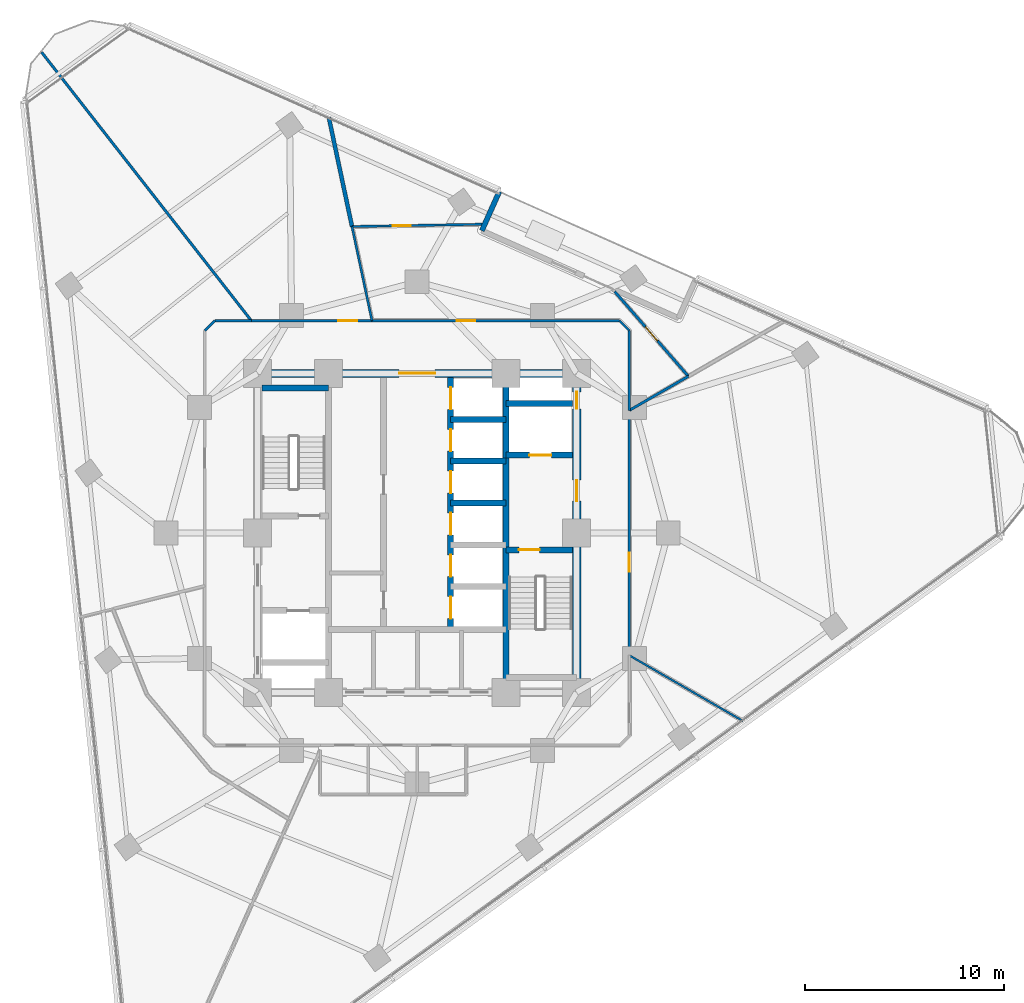
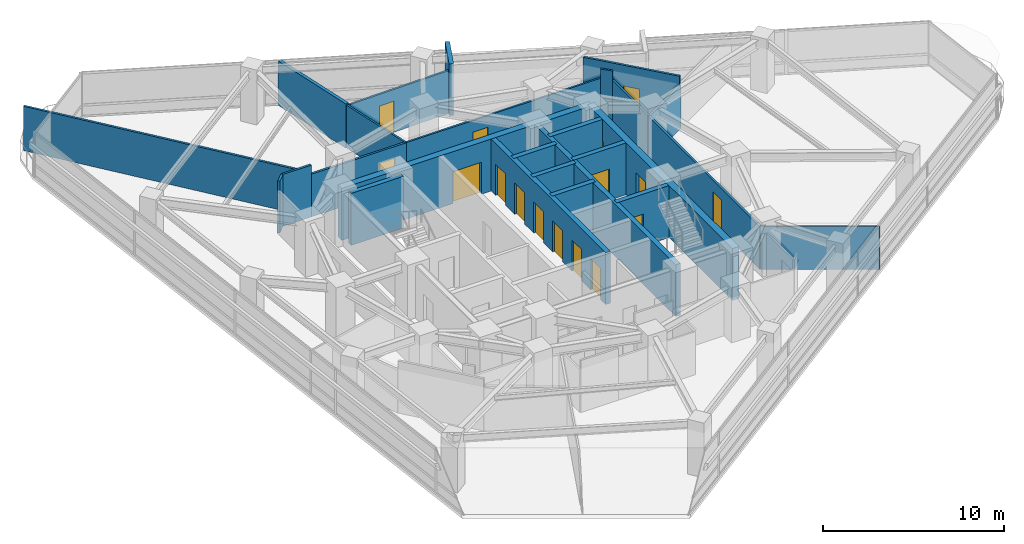
# One storey, part 9 of 14: 26 walls, 16 doors, 16 openings.
"""IFC4 building model written with IfcOpenShell, lengths in metres."""

from ifc_helpers import new_model, si_unit, direction, frame, frame_2d, origin, place, context, subcontext, project, spatial, rectangle, extrude, material, layer, layer_set, type_object, element, fill, save


model = new_model("IFC4")

# Units and contexts
model_context = context("Model", 3, precision=1e-05, world=origin(), true_north=direction((0.0, 1.0)))
body_context = subcontext(model_context, "Body", "Model", "MODEL_VIEW")
ifc_project = project(units=[si_unit("LENGTHUNIT", "METRE"), si_unit("AREAUNIT", "SQUARE_METRE"), si_unit("VOLUMEUNIT", "CUBIC_METRE"), si_unit("PLANEANGLEUNIT", "RADIAN"), si_unit("MASSUNIT", "GRAM", prefix="KILO")], contexts=[model_context])

# Site, building, storey
site_placement = place(None, origin())
site = spatial("IfcSite", under=ifc_project, at=site_placement, CompositionType="ELEMENT")
building_placement = place(site_placement, origin())
building = spatial("IfcBuilding", under=site, at=building_placement, Name="Terralouvre Media Tower", CompositionType="ELEMENT")
storey_placement = place(building_placement, frame((0.0, 0.0, 176.800048828125)))
storey = spatial("IfcBuildingStorey", under=building, at=storey_placement, Name="L45", CompositionType="ELEMENT", Elevation=176.800048828125)

# Walls
ifc_material_1 = material(Name="Concrete C50/60", Category="concrete")
ifc_layer_1 = layer(ifc_material_1, 0.300048828125, Name="Core Internal Shaft Wall CW-300")
ifc_layer_set_1 = layer_set([ifc_layer_1], Name="Concrete C50/60")
wall_type_1 = type_object("IfcWallType", Name="Core Internal Shaft Wall CW-300", PredefinedType="SHEAR", material=ifc_layer_set_1)
wall_1_placement = place(storey_placement, frame((4.449951171875, -7.7900390625, 0.0), z_axis=(0.0, 0.0, 1.0), x_axis=(0.0, 1.0, 0.0)))
element("IfcWall", 1, at=wall_1_placement, inside=storey, type_object=wall_type_1, Name="L45 Core Shaft Wall SPE", PredefinedType="SHEAR", context=body_context, shape_type="SweptSolid", body=[
    extrude(rectangle(XDim=15.580078125, YDim=0.300048828125, at=frame_2d((7.7900390625, 0.0))), origin(), (0.0, 0.0, 1.0), 3.5),
])
wall_2_placement = place(storey_placement, frame((-7.7900390625, 7.260009765625, 0.0), z_axis=(0.0, 0.0, 1.0), x_axis=(1.0, 0.0, 0.0)))
element("IfcWall", 2, at=wall_2_placement, inside=storey, type_object=wall_type_1, Name="L45 Core Shaft Wall ST1F", PredefinedType="SHEAR", context=body_context, shape_type="SweptSolid", body=[
    extrude(rectangle(XDim=3.340087890625, YDim=0.300048828125, at=frame_2d((1.669921875, 0.0))), origin(), (0.0, 0.0, 1.0), 3.5),
])

# Wall, opening, door
wall_3_placement = place(storey_placement, frame((4.449951171875, -0.85009765625, 0.0), z_axis=(0.0, 0.0, 1.0), x_axis=(1.0, 0.0, 0.0)))
wall_3 = element("IfcWall", 3, at=wall_3_placement, inside=storey, type_object=wall_type_1, Name="L45 Core Shaft Wall ST2D", PredefinedType="SHEAR", context=body_context, shape_type="SweptSolid", body=[
    extrude(rectangle(XDim=3.340087890625, YDim=0.300048828125, at=frame_2d((1.669921875, 0.0))), origin(), (0.0, 0.0, 1.0), 3.5),
])
opening_1_placement = place(wall_3_placement, frame((0.64990234375, 0.0, 0.0)))
opening_1 = element("IfcOpeningElement", 4, at=opening_1_placement, cuts=wall_3, Name="Opening FD-01-105X215", PredefinedType="OPENING", context=body_context, shape_type="SweptSolid", body=[
    extrude(rectangle(XDim=1.050048828125, YDim=2.14990234375, at=frame_2d((0.52490234375, 1.074951171875))), frame((0.0, 0.159912109375, 0.0), z_axis=(0.0, -1.0, 0.0), x_axis=(1.0, 0.0, 0.0)), (0.0, 0.0, 1.0), 0.320068359375),
])
ifc_material_2 = material(Name="Galvanised steel fire-resisting leaf", Category="steel")
door_type_1 = type_object("IfcDoorType", Name="Stair and Firefighting Lobby Fire Door FD-01 (1050x2150)", OperationType="NOTDEFINED", PredefinedType="DOOR", material=ifc_material_2)
door_1_placement = place(opening_1_placement, origin())
door_1 = element("IfcDoor", 5, at=door_1_placement, inside=storey, type_object=door_type_1, Name="L45 ST-02 Exit Stair Door", OperationType="SINGLE_SWING_RIGHT", OverallHeight=2.14990234375, OverallWidth=1.050048828125, PredefinedType="DOOR", context=body_context, shape_type="SweptSolid", body=[
    extrude(rectangle(XDim=1.050048828125, YDim=2.14990234375, at=frame_2d((0.52490234375, 1.074951171875))), frame((0.0, 0.02490234375, 0.0), z_axis=(0.0, -1.0, 0.0), x_axis=(1.0, 0.0, 0.0)), (0.0, 0.0, 1.0), 0.050048828125),
])
fill(opening_1, door_1)

wall_4_placement = place(storey_placement, frame((4.449951171875, 3.89990234375, 0.0), z_axis=(0.0, 0.0, 1.0), x_axis=(1.0, 0.0, 0.0)))
wall_4 = element("IfcWall", 6, at=wall_4_placement, inside=storey, type_object=wall_type_1, Name="L45 Core Shaft Wall FF2S", PredefinedType="SHEAR", context=body_context, shape_type="SweptSolid", body=[
    extrude(rectangle(XDim=3.340087890625, YDim=0.300048828125, at=frame_2d((1.669921875, 0.0))), origin(), (0.0, 0.0, 1.0), 3.5),
])
opening_2_placement = place(wall_4_placement, frame((1.179931640625, 0.0, 0.0)))
opening_2 = element("IfcOpeningElement", 7, at=opening_2_placement, cuts=wall_4, Name="Opening LD-FF", PredefinedType="OPENING", context=body_context, shape_type="SweptSolid", body=[
    extrude(rectangle(XDim=1.10009765625, YDim=2.10009765625, at=frame_2d((0.550048828125, 1.050048828125))), frame((0.0, 0.159912109375, 0.0), z_axis=(0.0, -1.0, 0.0), x_axis=(1.0, 0.0, 0.0)), (0.0, 0.0, 1.0), 0.320068359375),
])
ifc_material_3 = material(Name="Stainless steel 316 handrail and balustrade", Category="steel")
door_type_2 = type_object("IfcDoorType", Name="Firefighting Lift Sliding Landing Door LD-FF", OperationType="SLIDING_TO_LEFT", PredefinedType="DOOR", material=ifc_material_3)
door_2_placement = place(opening_2_placement, origin())
door_2 = element("IfcDoor", 8, at=door_2_placement, inside=storey, type_object=door_type_2, Name="L45 Firefighting Lift FFL-02 Landing Door", OperationType="SLIDING_TO_LEFT", OverallHeight=2.10009765625, OverallWidth=1.10009765625, PredefinedType="DOOR", context=body_context, shape_type="SweptSolid", body=[
    extrude(rectangle(XDim=1.10009765625, YDim=2.10009765625, at=frame_2d((0.550048828125, 1.050048828125))), frame((0.0, 0.02490234375, 0.0), z_axis=(0.0, -1.0, 0.0), x_axis=(1.0, 0.0, 0.0)), (0.0, 0.0, 1.0), 0.050048828125),
])
fill(opening_2, door_2)

# Wall
wall_5_placement = place(storey_placement, frame((4.449951171875, 6.5, 0.0), z_axis=(0.0, 0.0, 1.0), x_axis=(1.0, 0.0, 0.0)))
element("IfcWall", 9, at=wall_5_placement, inside=storey, type_object=wall_type_1, Name="L45 Core Shaft Wall FF2N", PredefinedType="SHEAR", context=body_context, shape_type="SweptSolid", body=[
    extrude(rectangle(XDim=3.340087890625, YDim=0.300048828125, at=frame_2d((1.669921875, 0.0))), origin(), (0.0, 0.0, 1.0), 3.5),
])

# Wall, openings, doors
wall_6_placement = place(storey_placement, frame((1.679931640625, -4.85009765625, 0.0), z_axis=(0.0, 0.0, 1.0), x_axis=(0.0, 1.0, 0.0)))
wall_6 = element("IfcWall", 10, at=wall_6_placement, inside=storey, type_object=wall_type_1, Name="L45 Core Shaft Wall LBE", PredefinedType="SHEAR", context=body_context, shape_type="SweptSolid", body=[
    extrude(rectangle(XDim=12.64013671875, YDim=0.300048828125, at=frame_2d((6.320068359375, 0.0))), origin(), (0.0, 0.0, 1.0), 3.5),
])
opening_3_placement = place(wall_6_placement, frame((0.550048828125, 0.0, 0.0)))
opening_3 = element("IfcOpeningElement", 11, at=opening_3_placement, cuts=wall_6, Name="Opening LD-PL", PredefinedType="OPENING", context=body_context, shape_type="SweptSolid", body=[
    extrude(rectangle(XDim=1.10009765625, YDim=2.10009765625, at=frame_2d((0.550048828125, 1.050048828125))), frame((0.0, 0.159912109375, 0.0), z_axis=(0.0, -1.0, 0.0), x_axis=(1.0, 0.0, 0.0)), (0.0, 0.0, 1.0), 0.320068359375),
])
opening_4_placement = place(wall_6_placement, frame((2.64990234375, 0.0, 0.0)))
opening_4 = element("IfcOpeningElement", 12, at=opening_4_placement, cuts=wall_6, Name="Opening LD-PL", PredefinedType="OPENING", context=body_context, shape_type="SweptSolid", body=[
    extrude(rectangle(XDim=1.10009765625, YDim=2.10009765625, at=frame_2d((0.550048828125, 1.050048828125))), frame((0.0, 0.159912109375, 0.0), z_axis=(0.0, -1.0, 0.0), x_axis=(1.0, 0.0, 0.0)), (0.0, 0.0, 1.0), 0.320068359375),
])
opening_5_placement = place(wall_6_placement, frame((4.75, 0.0, 0.0)))
opening_5 = element("IfcOpeningElement", 13, at=opening_5_placement, cuts=wall_6, Name="Opening LD-PL", PredefinedType="OPENING", context=body_context, shape_type="SweptSolid", body=[
    extrude(rectangle(XDim=1.10009765625, YDim=2.10009765625, at=frame_2d((0.550048828125, 1.050048828125))), frame((0.0, 0.159912109375, 0.0), z_axis=(0.0, -1.0, 0.0), x_axis=(1.0, 0.0, 0.0)), (0.0, 0.0, 1.0), 0.320068359375),
])
opening_6_placement = place(wall_6_placement, frame((6.85009765625, 0.0, 0.0)))
opening_6 = element("IfcOpeningElement", 14, at=opening_6_placement, cuts=wall_6, Name="Opening LD-PL", PredefinedType="OPENING", context=body_context, shape_type="SweptSolid", body=[
    extrude(rectangle(XDim=1.10009765625, YDim=2.10009765625, at=frame_2d((0.550048828125, 1.050048828125))), frame((0.0, 0.159912109375, 0.0), z_axis=(0.0, -1.0, 0.0), x_axis=(1.0, 0.0, 0.0)), (0.0, 0.0, 1.0), 0.320068359375),
])
opening_7_placement = place(wall_6_placement, frame((8.949951171875, 0.0, 0.0)))
opening_7 = element("IfcOpeningElement", 15, at=opening_7_placement, cuts=wall_6, Name="Opening LD-PL", PredefinedType="OPENING", context=body_context, shape_type="SweptSolid", body=[
    extrude(rectangle(XDim=1.10009765625, YDim=2.10009765625, at=frame_2d((0.550048828125, 1.050048828125))), frame((0.0, 0.159912109375, 0.0), z_axis=(0.0, -1.0, 0.0), x_axis=(1.0, 0.0, 0.0)), (0.0, 0.0, 1.0), 0.320068359375),
])
opening_8_placement = place(wall_6_placement, frame((11.050048828125, 0.0, 0.0)))
opening_8 = element("IfcOpeningElement", 16, at=opening_8_placement, cuts=wall_6, Name="Opening LD-PL", PredefinedType="OPENING", context=body_context, shape_type="SweptSolid", body=[
    extrude(rectangle(XDim=1.10009765625, YDim=2.10009765625, at=frame_2d((0.550048828125, 1.050048828125))), frame((0.0, 0.159912109375, 0.0), z_axis=(0.0, -1.0, 0.0), x_axis=(1.0, 0.0, 0.0)), (0.0, 0.0, 1.0), 0.320068359375),
])
ifc_material_4 = material(Name="Stainless steel 316 handrail and balustrade", Category="steel")
door_type_3 = type_object("IfcDoorType", Name="Passenger Lift Sliding Landing Door LD-PL", OperationType="SLIDING_TO_LEFT", PredefinedType="DOOR", material=ifc_material_4)
door_3_placement = place(opening_3_placement, origin())
door_3 = element("IfcDoor", 17, at=door_3_placement, inside=storey, type_object=door_type_3, Name="L45 High-Rise Lift PL-H1 Landing Door", OperationType="SLIDING_TO_LEFT", OverallHeight=2.10009765625, OverallWidth=1.10009765625, PredefinedType="DOOR", context=body_context, shape_type="SweptSolid", body=[
    extrude(rectangle(XDim=1.10009765625, YDim=2.10009765625, at=frame_2d((0.550048828125, 1.050048828125))), frame((0.0, 0.02490234375, 0.0), z_axis=(0.0, -1.0, 0.0), x_axis=(1.0, 0.0, 0.0)), (0.0, 0.0, 1.0), 0.050048828125),
])
fill(opening_3, door_3)
door_4_placement = place(opening_4_placement, origin())
door_4 = element("IfcDoor", 18, at=door_4_placement, inside=storey, type_object=door_type_3, Name="L45 High-Rise Lift PL-H2 Landing Door", OperationType="SLIDING_TO_LEFT", OverallHeight=2.10009765625, OverallWidth=1.10009765625, PredefinedType="DOOR", context=body_context, shape_type="SweptSolid", body=[
    extrude(rectangle(XDim=1.10009765625, YDim=2.10009765625, at=frame_2d((0.550048828125, 1.050048828125))), frame((0.0, 0.02490234375, 0.0), z_axis=(0.0, -1.0, 0.0), x_axis=(1.0, 0.0, 0.0)), (0.0, 0.0, 1.0), 0.050048828125),
])
fill(opening_4, door_4)
door_5_placement = place(opening_5_placement, origin())
door_5 = element("IfcDoor", 19, at=door_5_placement, inside=storey, type_object=door_type_3, Name="L45 High-Rise Lift PL-H3 Landing Door", OperationType="SLIDING_TO_LEFT", OverallHeight=2.10009765625, OverallWidth=1.10009765625, PredefinedType="DOOR", context=body_context, shape_type="SweptSolid", body=[
    extrude(rectangle(XDim=1.10009765625, YDim=2.10009765625, at=frame_2d((0.550048828125, 1.050048828125))), frame((0.0, 0.02490234375, 0.0), z_axis=(0.0, -1.0, 0.0), x_axis=(1.0, 0.0, 0.0)), (0.0, 0.0, 1.0), 0.050048828125),
])
fill(opening_5, door_5)
door_6_placement = place(opening_6_placement, origin())
door_6 = element("IfcDoor", 20, at=door_6_placement, inside=storey, type_object=door_type_3, Name="L45 Mid-Rise Lift PL-M1 Landing Door", OperationType="SLIDING_TO_LEFT", OverallHeight=2.10009765625, OverallWidth=1.10009765625, PredefinedType="DOOR", context=body_context, shape_type="SweptSolid", body=[
    extrude(rectangle(XDim=1.10009765625, YDim=2.10009765625, at=frame_2d((0.550048828125, 1.050048828125))), frame((0.0, 0.02490234375, 0.0), z_axis=(0.0, -1.0, 0.0), x_axis=(1.0, 0.0, 0.0)), (0.0, 0.0, 1.0), 0.050048828125),
])
fill(opening_6, door_6)
door_7_placement = place(opening_7_placement, origin())
door_7 = element("IfcDoor", 21, at=door_7_placement, inside=storey, type_object=door_type_3, Name="L45 Mid-Rise Lift PL-M2 Landing Door", OperationType="SLIDING_TO_LEFT", OverallHeight=2.10009765625, OverallWidth=1.10009765625, PredefinedType="DOOR", context=body_context, shape_type="SweptSolid", body=[
    extrude(rectangle(XDim=1.10009765625, YDim=2.10009765625, at=frame_2d((0.550048828125, 1.050048828125))), frame((0.0, 0.02490234375, 0.0), z_axis=(0.0, -1.0, 0.0), x_axis=(1.0, 0.0, 0.0)), (0.0, 0.0, 1.0), 0.050048828125),
])
fill(opening_7, door_7)
door_8_placement = place(opening_8_placement, origin())
door_8 = element("IfcDoor", 22, at=door_8_placement, inside=storey, type_object=door_type_3, Name="L45 Mid-Rise Lift PL-M3 Landing Door", OperationType="SLIDING_TO_LEFT", OverallHeight=2.10009765625, OverallWidth=1.10009765625, PredefinedType="DOOR", context=body_context, shape_type="SweptSolid", body=[
    extrude(rectangle(XDim=1.10009765625, YDim=2.10009765625, at=frame_2d((0.550048828125, 1.050048828125))), frame((0.0, 0.02490234375, 0.0), z_axis=(0.0, -1.0, 0.0), x_axis=(1.0, 0.0, 0.0)), (0.0, 0.0, 1.0), 0.050048828125),
])
fill(opening_8, door_8)

# Walls
for number, where, z_axis, x_axis, name in (
    (23, (1.679931640625, 1.5, 0.0), (0.0, 0.0, 1.0), (1.0, 0.0, 0.0), "L45 Core Shaft Wall PLMD0"),
    (24, (1.679931640625, 3.60009765625, 0.0), (0.0, 0.0, 1.0), (1.0, 0.0, 0.0), "L45 Core Shaft Wall PLMD1"),
    (25, (1.679931640625, 5.699951171875, 0.0), (0.0, 0.0, 1.0), (1.0, 0.0, 0.0), "L45 Core Shaft Wall PLMD2"),
):
    element("IfcWall", number, at=place(storey_placement, frame(where, z_axis=z_axis, x_axis=x_axis)), inside=storey, type_object=wall_type_1, Name=name, PredefinedType="SHEAR", context=body_context, shape_type="SweptSolid", body=[
        extrude(rectangle(XDim=2.77001953125, YDim=0.300048828125, at=frame_2d((1.385009765625, 0.0))), origin(), (0.0, 0.0, 1.0), 3.5),
    ])

# Wall, openings, doors
ifc_material_5 = material(Name="Concrete C60/75", Category="concrete")
ifc_layer_2 = layer(ifc_material_5, 0.419921875, Name="Core Reinforced Concrete Shear Wall CW-420")
ifc_layer_set_2 = layer_set([ifc_layer_2], Name="Concrete C60/75")
wall_type_2 = type_object("IfcWallType", Name="Core Reinforced Concrete Shear Wall CW-420", PredefinedType="SHEAR", material=ifc_layer_set_2)
wall_7_placement = place(storey_placement, frame((8.0, -8.0, 0.0), z_axis=(0.0, 0.0, 1.0), x_axis=(0.0, 1.0, 0.0)))
wall_7 = element("IfcWall", 26, at=wall_7_placement, inside=storey, type_object=wall_type_2, Name="L45 E Core Shear Wall", PredefinedType="SHEAR", context=body_context, shape_type="SweptSolid", body=[
    extrude(rectangle(XDim=16.0, YDim=0.419921875, at=frame_2d((8.0, 0.0))), origin(), (0.0, 0.0, 1.0), 3.5),
])
opening_9_placement = place(wall_7_placement, frame((9.60009765625, 0.0, 0.0)))
opening_9 = element("IfcOpeningElement", 27, at=opening_9_placement, cuts=wall_7, Name="Opening FD-01-105X215", PredefinedType="OPENING", context=body_context, shape_type="SweptSolid", body=[
    extrude(rectangle(XDim=1.050048828125, YDim=2.14990234375, at=frame_2d((0.52490234375, 1.074951171875))), frame((0.0, 0.219970703125, 0.0), z_axis=(0.0, -1.0, 0.0), x_axis=(1.0, 0.0, 0.0)), (0.0, 0.0, 1.0), 0.43994140625),
])
opening_10_placement = place(wall_7_placement, frame((14.228515625, 0.0, 0.0)))
opening_10 = element("IfcOpeningElement", 28, at=opening_10_placement, cuts=wall_7, Name="Opening TD-R1", PredefinedType="OPENING", context=body_context, shape_type="SweptSolid", body=[
    extrude(rectangle(XDim=0.85009765625, YDim=2.02001953125, at=frame_2d((0.425048828125, 1.010009765625))), frame((0.0, 0.219970703125, 0.0), z_axis=(0.0, -1.0, 0.0), x_axis=(1.0, 0.0, 0.0)), (0.0, 0.0, 1.0), 0.43994140625),
])
ifc_material_6 = material(Name="Galvanised steel fire-resisting leaf", Category="steel")
door_type_4 = type_object("IfcDoorType", Name="Riser Inspection Access Trapdoor TD-R1", OperationType="NOTDEFINED", PredefinedType="TRAPDOOR", material=ifc_material_6)
door_9_placement = place(opening_10_placement, origin())
door_9 = element("IfcDoor", 29, at=door_9_placement, inside=storey, type_object=door_type_4, Name="L45 East Comms Riser Access Trapdoor", OperationType="SINGLE_SWING_RIGHT", OverallHeight=2.02001953125, OverallWidth=0.85009765625, PredefinedType="TRAPDOOR", context=body_context, shape_type="SweptSolid", body=[
    extrude(rectangle(XDim=0.85009765625, YDim=2.02001953125, at=frame_2d((0.425048828125, 1.010009765625))), frame((0.0, 0.02490234375, 0.0), z_axis=(0.0, -1.0, 0.0), x_axis=(1.0, 0.0, 0.0)), (0.0, 0.0, 1.0), 0.050048828125),
])
fill(opening_10, door_9)
door_10_placement = place(opening_9_placement, origin())
door_10 = element("IfcDoor", 30, at=door_10_placement, inside=storey, type_object=door_type_1, Name="L45 East Firefighting Lobby Entry Door", OperationType="SINGLE_SWING_LEFT", OverallHeight=2.14990234375, OverallWidth=1.050048828125, PredefinedType="DOOR", context=body_context, shape_type="SweptSolid", body=[
    extrude(rectangle(XDim=1.050048828125, YDim=2.14990234375, at=frame_2d((0.52490234375, 1.074951171875))), frame((0.0, 0.02490234375, 0.0), z_axis=(0.0, -1.0, 0.0), x_axis=(1.0, 0.0, 0.0)), (0.0, 0.0, 1.0), 0.050048828125),
])
fill(opening_9, door_10)

# Wall, opening, door
wall_8_placement = place(storey_placement, frame((-8.0, 8.0, 0.0), z_axis=(0.0, 0.0, 1.0), x_axis=(1.0, 0.0, 0.0)))
wall_8 = element("IfcWall", 31, at=wall_8_placement, inside=storey, type_object=wall_type_2, Name="L45 N Core Shear Wall", PredefinedType="SHEAR", context=body_context, shape_type="SweptSolid", body=[
    extrude(rectangle(XDim=16.0, YDim=0.419921875, at=frame_2d((8.0, 0.0))), origin(), (0.0, 0.0, 1.0), 3.5),
])
opening_11_placement = place(wall_8_placement, frame((7.10009765625, 0.0, 0.0)))
opening_11 = element("IfcOpeningElement", 32, at=opening_11_placement, cuts=wall_8, Name="Opening FD-03", PredefinedType="OPENING", context=body_context, shape_type="SweptSolid", body=[
    extrude(rectangle(XDim=1.800048828125, YDim=2.14990234375, at=frame_2d((0.89990234375, 1.074951171875))), frame((0.0, 0.219970703125, 0.0), z_axis=(0.0, -1.0, 0.0), x_axis=(1.0, 0.0, 0.0)), (0.0, 0.0, 1.0), 0.43994140625),
])
ifc_material_7 = material(Name="Galvanised steel fire-resisting leaf", Category="steel")
door_type_5 = type_object("IfcDoorType", Name="Corridor Smoke-Control Double Door FD-03", OperationType="DOUBLE_DOOR_SINGLE_SWING", PredefinedType="DOOR", material=ifc_material_7)
door_11_placement = place(opening_11_placement, origin())
door_11 = element("IfcDoor", 33, at=door_11_placement, inside=storey, type_object=door_type_5, Name="L45 Central Lift Lobby Portal Door", OperationType="DOUBLE_DOOR_SINGLE_SWING", OverallHeight=2.14990234375, OverallWidth=1.800048828125, PredefinedType="DOOR", context=body_context, shape_type="SweptSolid", body=[
    extrude(rectangle(XDim=1.800048828125, YDim=2.14990234375, at=frame_2d((0.89990234375, 1.074951171875))), frame((0.0, 0.02490234375, 0.0), z_axis=(0.0, -1.0, 0.0), x_axis=(1.0, 0.0, 0.0)), (0.0, 0.0, 1.0), 0.050048828125),
])
fill(opening_11, door_11)

# Walls
ifc_material_8 = material(Name="Low-iron laminated double glazing with solar-control coating", Category="glass")
ifc_layer_3 = layer(ifc_material_8, 0.10009765625, Name="Demountable Glazed Office Partition PT-GL100")
ifc_layer_set_3 = layer_set([ifc_layer_3], Name="Low-iron laminated double glazing with solar-control coating")
wall_type_3 = type_object("IfcWallType", Name="Demountable Glazed Office Partition PT-GL100", PredefinedType="MOVABLE", material=ifc_layer_set_3)
wall_9_placement = place(storey_placement, frame((16.34814453125, -9.43896484375, 0.0), z_axis=(0.0, 0.0, 1.0), x_axis=(-0.866015045157, 0.50001794124, 0.0)))
element("IfcWall", 34, at=wall_9_placement, inside=storey, type_object=wall_type_3, Name="L45 Interior Partition 032", PredefinedType="MOVABLE", context=body_context, shape_type="SweptSolid", body=[
    extrude(rectangle(XDim=6.579833984375, YDim=0.10009765625, at=frame_2d((3.2900390625, 0.0))), origin(), (0.0, 0.0, 1.0), 2.885009765625),
])
ifc_material_9 = material(Name="Fire-rated gypsum board drywall partition")
ifc_layer_4 = layer(ifc_material_9, 0.199951171875, Name="Fire-Rated Shaft and Lobby Partition FW-200")
ifc_layer_set_4 = layer_set([ifc_layer_4], Name="Fire-rated gypsum board drywall partition")
wall_type_4 = type_object("IfcWallType", Name="Fire-Rated Shaft and Lobby Partition FW-200", PredefinedType="SOLIDWALL", material=ifc_layer_set_4)
wall_10_placement = place(storey_placement, frame((-4.432373046875, 20.850830078125, 0.0), z_axis=(0.0, 0.0, 1.0), x_axis=(0.208002083798, -0.978128382747, 0.0)))
element("IfcWall", 35, at=wall_10_placement, inside=storey, type_object=wall_type_4, Name="L45 Interior Partition 038", PredefinedType="SOLIDWALL", context=body_context, shape_type="SweptSolid", body=[
    extrude(rectangle(XDim=5.602294921875, YDim=0.199951171875, at=frame_2d((2.80126953125, 0.0))), origin(), (0.0, 0.0, 1.0), 2.98486328125),
])

# Wall, opening, door
ifc_material_10 = material(Name="Fire-rated gypsum board drywall partition")
ifc_layer_5 = layer(ifc_material_10, 0.135009765625, Name="Newsroom Acoustic Partition PT-135")
ifc_layer_set_5 = layer_set([ifc_layer_5], Name="Fire-rated gypsum board drywall partition")
wall_type_5 = type_object("IfcWallType", Name="Newsroom Acoustic Partition PT-135", PredefinedType="PARTITIONING", material=ifc_layer_set_5)
wall_11_placement = place(storey_placement, frame((10.64990234375, -6.14892578125, 0.0), z_axis=(0.0, 0.0, 1.0), x_axis=(0.0, 1.0, 0.0)))
wall_11 = element("IfcWall", 36, at=wall_11_placement, inside=storey, type_object=wall_type_5, Name="L45 Interior Partition 010", PredefinedType="PARTITIONING", context=body_context, shape_type="SweptSolid", body=[
    extrude(rectangle(XDim=12.2978515625, YDim=0.135009765625, at=frame_2d((6.14892578125, 0.0))), origin(), (0.0, 0.0, 1.0), 2.885009765625),
])
opening_12_placement = place(wall_11_placement, frame((4.1982421875, 0.0, 0.0)))
opening_12 = element("IfcOpeningElement", 37, at=opening_12_placement, cuts=wall_11, Name="Opening ID-02-95X210", PredefinedType="OPENING", context=body_context, shape_type="SweptSolid", body=[
    extrude(rectangle(XDim=0.949951171875, YDim=2.10009765625, at=frame_2d((0.47509765625, 1.050048828125))), frame((0.0, 0.077392578125, 0.0), z_axis=(0.0, -1.0, 0.0), x_axis=(1.0, 0.0, 0.0)), (0.0, 0.0, 1.0), 0.155029296875),
])
ifc_material_11 = material(Name="Engineered hardwood acoustic timber leaf", Category="wood")
door_type_6 = type_object("IfcDoorType", Name="Office and Meeting Room Door ID-02 (950x2100)", OperationType="NOTDEFINED", PredefinedType="DOOR", material=ifc_material_11)
door_12_placement = place(opening_12_placement, origin())
door_12 = element("IfcDoor", 38, at=door_12_placement, inside=storey, type_object=door_type_6, Name="L45 Podcast Editing Creative Workshop 4 Door", OperationType="SINGLE_SWING_LEFT", OverallHeight=2.10009765625, OverallWidth=0.949951171875, PredefinedType="DOOR", context=body_context, shape_type="SweptSolid", body=[
    extrude(rectangle(XDim=0.949951171875, YDim=2.10009765625, at=frame_2d((0.47509765625, 1.050048828125))), frame((0.0, 0.02490234375, 0.0), z_axis=(0.0, -1.0, 0.0), x_axis=(1.0, 0.0, 0.0)), (0.0, 0.0, 1.0), 0.050048828125),
])
fill(opening_12, door_12)

wall_12_placement = place(storey_placement, frame((-2.263916015625, 10.64990234375, 0.0), z_axis=(0.0, 0.0, 1.0), x_axis=(-1.0, 0.0, 0.0)))
wall_12 = element("IfcWall", 39, at=wall_12_placement, inside=storey, type_object=wall_type_5, Name="L45 Interior Partition 014", PredefinedType="PARTITIONING", context=body_context, shape_type="SweptSolid", body=[
    extrude(rectangle(XDim=6.05712890625, YDim=0.135009765625, at=frame_2d((3.028564453125, 0.0))), origin(), (0.0, 0.0, 1.0), 2.885009765625),
])
opening_13_placement = place(wall_12_placement, frame((0.736328125, 0.0, 0.0)))
opening_13 = element("IfcOpeningElement", 40, at=opening_13_placement, cuts=wall_12, Name="Opening ID-02-95X210", PredefinedType="OPENING", context=body_context, shape_type="SweptSolid", body=[
    extrude(rectangle(XDim=0.949951171875, YDim=2.10009765625, at=frame_2d((0.47509765625, 1.050048828125))), frame((0.0, 0.077392578125, 0.0), z_axis=(0.0, -1.0, 0.0), x_axis=(1.0, 0.0, 0.0)), (0.0, 0.0, 1.0), 0.155029296875),
])
door_13_placement = place(opening_13_placement, origin())
door_13 = element("IfcDoor", 41, at=door_13_placement, inside=storey, type_object=door_type_6, Name="L45 Hardware Prototype Storage 8 Door", OperationType="SINGLE_SWING_LEFT", OverallHeight=2.10009765625, OverallWidth=0.949951171875, PredefinedType="DOOR", context=body_context, shape_type="SweptSolid", body=[
    extrude(rectangle(XDim=0.949951171875, YDim=2.10009765625, at=frame_2d((0.47509765625, 1.050048828125))), frame((0.0, 0.02490234375, 0.0), z_axis=(0.0, -1.0, 0.0), x_axis=(1.0, 0.0, 0.0)), (0.0, 0.0, 1.0), 0.050048828125),
])
fill(opening_13, door_13)

# Walls
wall_13_placement = place(storey_placement, frame((-8.321044921875, 10.64990234375, 0.0), z_axis=(0.0, 0.0, 1.0), x_axis=(-1.0, 0.0, 0.0)))
element("IfcWall", 42, at=wall_13_placement, inside=storey, type_object=wall_type_5, Name="L45 Interior Partition 015", PredefinedType="PARTITIONING", context=body_context, shape_type="SweptSolid", body=[
    extrude(rectangle(XDim=1.828857421875, YDim=0.135009765625, at=frame_2d((0.91455078125, 0.0))), origin(), (0.0, 0.0, 1.0), 3.5),
])
wall_14_placement = place(storey_placement, frame((-10.14990234375, 10.64990234375, 0.0), z_axis=(0.0, 0.0, 1.0), x_axis=(-0.707106781187, -0.707106781187, 0.0)))
element("IfcWall", 43, at=wall_14_placement, inside=storey, type_object=wall_type_5, Name="L45 Interior Partition 016", PredefinedType="PARTITIONING", context=body_context, shape_type="SweptSolid", body=[
    extrude(rectangle(XDim=0.70703125, YDim=0.135009765625, at=frame_2d((0.353515625, 0.0))), origin(), (0.0, 0.0, 1.0), 3.5),
])
wall_15_placement = place(storey_placement, frame((13.60888671875, 7.85693359375, 0.0), z_axis=(0.0, 0.0, 1.0), x_axis=(-0.866071357471, -0.499920397431, 0.0)))
element("IfcWall", 44, at=wall_15_placement, inside=storey, type_object=wall_type_5, Name="L45 Interior Partition 034", PredefinedType="PARTITIONING", context=body_context, shape_type="SweptSolid", body=[
    extrude(rectangle(XDim=3.41650390625, YDim=0.135009765625, at=frame_2d((1.708251953125, 0.0))), origin(), (0.0, 0.0, 1.0), 2.885009765625),
])

# Wall, opening, door
wall_16_placement = place(storey_placement, frame((9.910888671875, 12.111328125, 0.0), z_axis=(0.0, 0.0, 1.0), x_axis=(0.656029654943, -0.754735113689, 0.0)))
wall_16 = element("IfcWall", 45, at=wall_16_placement, inside=storey, type_object=wall_type_5, Name="L45 Interior Partition 035", PredefinedType="PARTITIONING", context=body_context, shape_type="SweptSolid", body=[
    extrude(rectangle(XDim=5.636962890625, YDim=0.135009765625, at=frame_2d((2.818359375, 0.0))), origin(), (0.0, 0.0, 1.0), 3.5),
])
opening_14_placement = place(wall_16_placement, frame((2.3583984375, 0.0, 0.0)))
opening_14 = element("IfcOpeningElement", 46, at=opening_14_placement, cuts=wall_16, Name="Opening ID-03-92X210", PredefinedType="OPENING", context=body_context, shape_type="SweptSolid", body=[
    extrude(rectangle(XDim=0.919921875, YDim=2.10009765625, at=frame_2d((0.4599609375, 1.050048828125))), frame((0.0, 0.077392578125, 0.0), z_axis=(0.0, -1.0, 0.0), x_axis=(1.0, 0.0, 0.0)), (0.0, 0.0, 1.0), 0.155029296875),
])
ifc_material_12 = material(Name="Engineered hardwood acoustic timber leaf", Category="wood")
door_type_7 = type_object("IfcDoorType", Name="Accessible Restroom and Suite Door ID-03 (920x2100)", OperationType="NOTDEFINED", PredefinedType="DOOR", material=ifc_material_12)
door_14_placement = place(opening_14_placement, origin())
door_14 = element("IfcDoor", 47, at=door_14_placement, inside=storey, type_object=door_type_7, Name="L45 Staff Quiet Reading Club 5 Door", OperationType="SINGLE_SWING_RIGHT", OverallHeight=2.10009765625, OverallWidth=0.919921875, PredefinedType="DOOR", context=body_context, shape_type="SweptSolid", body=[
    extrude(rectangle(XDim=0.919921875, YDim=2.10009765625, at=frame_2d((0.4599609375, 1.050048828125))), frame((0.0, 0.02490234375, 0.0), z_axis=(0.0, -1.0, 0.0), x_axis=(1.0, 0.0, 0.0)), (0.0, 0.0, 1.0), 0.050048828125),
])
fill(opening_14, door_14)

# Walls
wall_17_placement = place(storey_placement, frame((-18.839599609375, 24.11376953125, 0.0), z_axis=(0.0, 0.0, 1.0), x_axis=(0.615640714438, -0.78802697335, 0.0)))
element("IfcWall", 48, at=wall_17_placement, inside=storey, type_object=wall_type_5, Name="L45 Interior Partition 039", PredefinedType="PARTITIONING", context=body_context, shape_type="SweptSolid", body=[
    extrude(rectangle(XDim=17.08544921875, YDim=0.135009765625, at=frame_2d((8.542724609375, 0.0))), origin(), (0.0, 0.0, 1.0), 2.98486328125),
])
ifc_material_13 = material(Name="Kiln-fired architectural terracotta rainscreen cladding", Category="masonry")
ifc_layer_6 = layer(ifc_material_13, 0.260009765625, Name="Recessed Sky-Garden Acoustic Wall EW-SG260")
ifc_layer_set_6 = layer_set([ifc_layer_6], Name="Kiln-fired architectural terracotta rainscreen cladding")
wall_type_6 = type_object("IfcWallType", Name="Recessed Sky-Garden Acoustic Wall EW-SG260", PredefinedType="SOLIDWALL", material=ifc_layer_set_6)
wall_18_placement = place(storey_placement, frame((3.2490234375, 15.1650390625, 0.0), z_axis=(0.0, 0.0, 1.0), x_axis=(0.406749458199, 0.913539751874, 0.0)))
element("IfcWall", 49, at=wall_18_placement, inside=storey, type_object=wall_type_6, Name="L45 SG Pocket Right Cheek Wall", PredefinedType="SOLIDWALL", context=body_context, shape_type="SweptSolid", body=[
    extrude(rectangle(XDim=2.14990234375, YDim=0.260009765625, at=frame_2d((1.074951171875, 0.0))), origin(), (0.0, 0.0, 1.0), 3.5),
])
ifc_material_14 = material(Name="Fire-rated gypsum board drywall partition")
ifc_layer_7 = layer(ifc_material_14, 0.114990234375, Name="Restroom and Pantry Partition PT-115")
ifc_layer_set_7 = layer_set([ifc_layer_7], Name="Fire-rated gypsum board drywall partition")
wall_type_7 = type_object("IfcWallType", Name="Restroom and Pantry Partition PT-115", PredefinedType="PARTITIONING", material=ifc_layer_set_7)
wall_19_placement = place(storey_placement, frame((10.64990234375, 6.14892578125, 0.0), z_axis=(0.0, 0.0, 1.0), x_axis=(0.0, 1.0, 0.0)))
element("IfcWall", 50, at=wall_19_placement, inside=storey, type_object=wall_type_7, Name="L45 Interior Partition 011", PredefinedType="PARTITIONING", context=body_context, shape_type="SweptSolid", body=[
    extrude(rectangle(XDim=4.0009765625, YDim=0.114990234375, at=frame_2d((2.00048828125, 0.0))), origin(), (0.0, 0.0, 1.0), 2.885009765625),
])
wall_20_placement = place(storey_placement, frame((10.64990234375, 10.14990234375, 0.0), z_axis=(0.0, 0.0, 1.0), x_axis=(-0.707106781187, 0.707106781187, 0.0)))
element("IfcWall", 51, at=wall_20_placement, inside=storey, type_object=wall_type_7, Name="L45 Interior Partition 012", PredefinedType="PARTITIONING", context=body_context, shape_type="SweptSolid", body=[
    extrude(rectangle(XDim=0.70703125, YDim=0.114990234375, at=frame_2d((0.353515625, 0.0))), origin(), (0.0, 0.0, 1.0), 3.5),
])

# Wall, opening, door
wall_21_placement = place(storey_placement, frame((10.14990234375, 10.64990234375, 0.0), z_axis=(0.0, 0.0, 1.0), x_axis=(-1.0, 0.0, 0.0)))
wall_21 = element("IfcWall", 52, at=wall_21_placement, inside=storey, type_object=wall_type_7, Name="L45 Interior Partition 013", PredefinedType="PARTITIONING", context=body_context, shape_type="SweptSolid", body=[
    extrude(rectangle(XDim=12.413818359375, YDim=0.114990234375, at=frame_2d((6.20703125, 0.0))), origin(), (0.0, 0.0, 1.0), 2.885009765625),
])
opening_15_placement = place(wall_21_placement, frame((7.2216796875, 0.0, 0.0)))
opening_15 = element("IfcOpeningElement", 53, at=opening_15_placement, cuts=wall_21, Name="Opening SD-01-95X210", PredefinedType="OPENING", context=body_context, shape_type="SweptSolid", body=[
    extrude(rectangle(XDim=0.949951171875, YDim=2.10009765625, at=frame_2d((0.47509765625, 1.050048828125))), frame((0.0, 0.0673828125, 0.0), z_axis=(0.0, -1.0, 0.0), x_axis=(1.0, 0.0, 0.0)), (0.0, 0.0, 1.0), 0.135009765625),
])
ifc_material_15 = material(Name="Anodised extruded aluminium 6063-T6", Category="aluminium")
door_type_8 = type_object("IfcDoorType", Name="Pantry Pocket Sliding Door SD-01 (950x2100)", OperationType="SLIDING_TO_LEFT", PredefinedType="DOOR", material=ifc_material_15)
door_15_placement = place(opening_15_placement, origin())
door_15 = element("IfcDoor", 54, at=door_15_placement, inside=storey, type_object=door_type_8, Name="L45 Barista Coffee Tea Pantry 6 Door", OperationType="SLIDING_TO_LEFT", OverallHeight=2.10009765625, OverallWidth=0.949951171875, PredefinedType="DOOR", context=body_context, shape_type="SweptSolid", body=[
    extrude(rectangle(XDim=0.949951171875, YDim=2.10009765625, at=frame_2d((0.47509765625, 1.050048828125))), frame((0.0, 0.02490234375, 0.0), z_axis=(0.0, -1.0, 0.0), x_axis=(1.0, 0.0, 0.0)), (0.0, 0.0, 1.0), 0.050048828125),
])
fill(opening_15, door_15)

wall_22_placement = place(storey_placement, frame((3.30419921875, 15.485595703125, 0.0), z_axis=(0.0, 0.0, 1.0), x_axis=(-0.999848226563, -0.017421935587, 0.0)))
wall_22 = element("IfcWall", 55, at=wall_22_placement, inside=storey, type_object=wall_type_7, Name="L45 Interior Partition 036", PredefinedType="PARTITIONING", context=body_context, shape_type="SweptSolid", body=[
    extrude(rectangle(XDim=6.572265625, YDim=0.114990234375, at=frame_2d((3.2861328125, 0.0))), origin(), (0.0, 0.0, 1.0), 2.885009765625),
])
opening_16_placement = place(wall_22_placement, frame((3.61474609375, 0.0, 0.0)))
opening_16 = element("IfcOpeningElement", 56, at=opening_16_placement, cuts=wall_22, Name="Opening FD-05-92X210", PredefinedType="OPENING", context=body_context, shape_type="SweptSolid", body=[
    extrude(rectangle(XDim=0.919921875, YDim=2.10009765625, at=frame_2d((0.4599609375, 1.050048828125))), frame((0.0, 0.0673828125, 0.0), z_axis=(0.0, -1.0, 0.0), x_axis=(1.0, 0.0, 0.0)), (0.0, 0.0, 1.0), 0.135009765625),
])
ifc_material_16 = material(Name="Galvanised steel fire-resisting leaf", Category="steel")
door_type_9 = type_object("IfcDoorType", Name="Core Accessible Closet Fire Door FD-05 (920x2100)", OperationType="NOTDEFINED", PredefinedType="DOOR", material=ifc_material_16)
door_16_placement = place(opening_16_placement, origin())
door_16 = element("IfcDoor", 57, at=door_16_placement, inside=storey, type_object=door_type_9, Name="L45 Render Cluster Server Room 7 Door", OperationType="SINGLE_SWING_LEFT", OverallHeight=2.10009765625, OverallWidth=0.919921875, PredefinedType="DOOR", context=body_context, shape_type="SweptSolid", body=[
    extrude(rectangle(XDim=0.919921875, YDim=2.10009765625, at=frame_2d((0.4599609375, 1.050048828125))), frame((0.0, 0.02490234375, 0.0), z_axis=(0.0, -1.0, 0.0), x_axis=(1.0, 0.0, 0.0)), (0.0, 0.0, 1.0), 0.050048828125),
])
fill(opening_16, door_16)

# Wall
wall_23_placement = place(storey_placement, frame((-3.26708984375, 15.37109375, 0.0), z_axis=(0.0, 0.0, 1.0), x_axis=(0.207843026781, -0.978162193207, 0.0)))
element("IfcWall", 58, at=wall_23_placement, inside=storey, type_object=wall_type_7, Name="L45 Interior Partition 037", PredefinedType="PARTITIONING", context=body_context, shape_type="SweptSolid", body=[
    extrude(rectangle(XDim=4.82666015625, YDim=0.114990234375, at=frame_2d((2.413330078125, 0.0))), origin(), (0.0, 0.0, 1.0), 2.885009765625),
])

save(model, "model.ifc")
